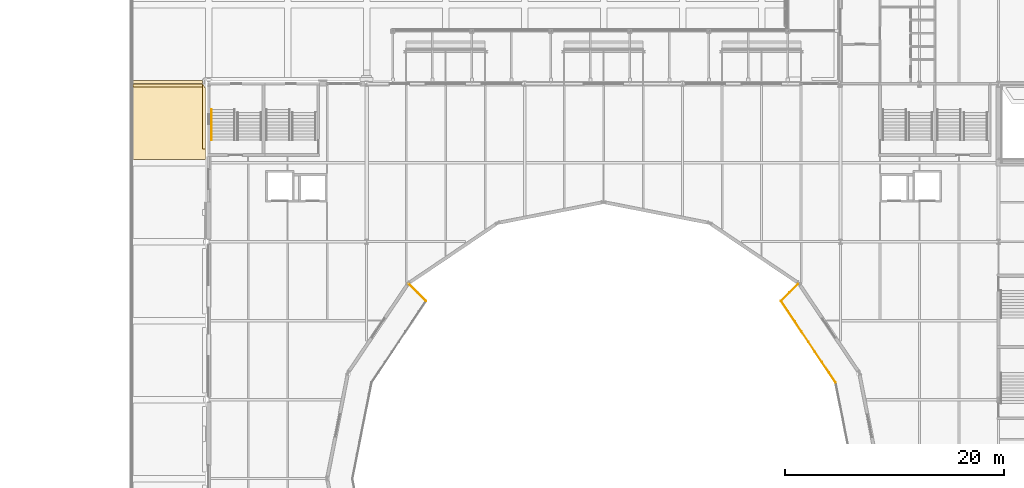
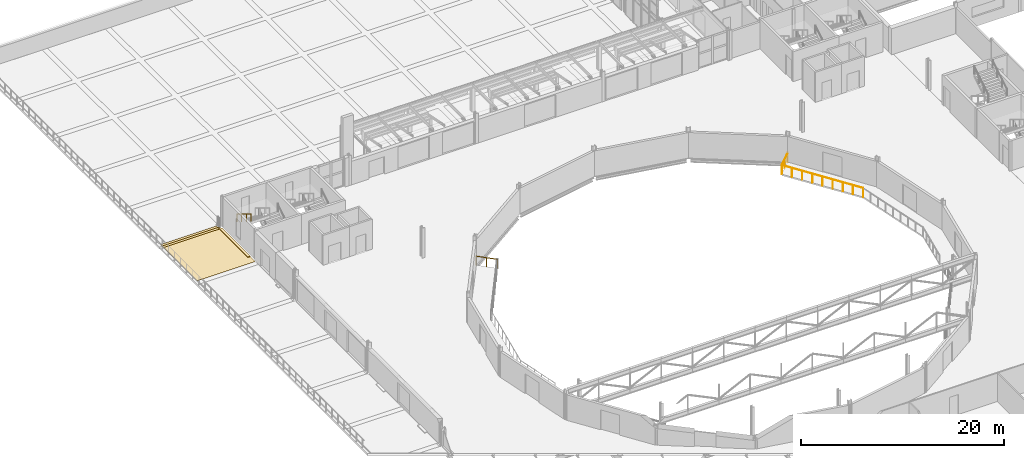
# One storey, part 111 of 143: 4 coverings, 4 railings.
"""IFC4 building model written with IfcOpenShell, lengths in metres."""

import ifcopenshell
import ifcopenshell.guid

model = None  # the IFC model being written
_history = None  # IfcOwnerHistory: only IFC2X3 demands one
_inside = {}  # id of a spatial element -> (the spatial element, [elements in it])
_under = {}  # id of a project, library or spatial element -> (it, [spatial elements below it])
_declared = {}  # id of a project -> (the project, [libraries it declares])
_typed = {}  # id of a type object -> (the type object, [elements of that type])
_made_of = {}  # id of a material, layer set ... -> (it, [elements and type objects made of it])


def new_model(schema):
    """Start an empty IFC model of exactly this schema.

    Asked for "IFC4X3", IfcOpenShell would pick the latest addendum, in which some entities
    have other attributes; the version numbers below select the first issue.
    IFC2X3 requires an IfcOwnerHistory on every rooted entity: one is made here for all.
    """
    global model, _history
    if schema == "IFC4X3":
        model = ifcopenshell.file(schema_version=(4, 3, 0, 0))
    else:
        model = ifcopenshell.file(schema=schema)
    _inside.clear()
    _under.clear()
    _declared.clear()
    _typed.clear()
    _made_of.clear()
    _history = None
    if model.schema == "IFC2X3":
        org = make("IfcOrganization", Name="unknown")
        user = make(
            "IfcPersonAndOrganization",
            ThePerson=make("IfcPerson", FamilyName="unknown"),
            TheOrganization=org,
        )
        app = make(
            "IfcApplication",
            ApplicationDeveloper=org,
            Version="unknown",
            ApplicationFullName="unknown",
            ApplicationIdentifier="unknown",
        )
        _history = make(
            "IfcOwnerHistory",
            OwningUser=user,
            OwningApplication=app,
            ChangeAction="ADDED",
            CreationDate=0,
        )
    return model


def make(cls, **values):
    """One entity of the class cls with the attributes given. An attribute that is None is left unset."""
    return model.create_entity(
        cls, **{name: value for name, value in values.items() if value is not None}
    )


def rooted(cls, **values):
    """An entity with a GlobalId (a new one), such as an element, a storey or a relation."""
    return make(cls, GlobalId=ifcopenshell.guid.new(), OwnerHistory=_history, **values)


def si_unit(unit_type, name, prefix=None):
    """IfcSIUnit, for example si_unit("LENGTHUNIT", "METRE", prefix="MILLI")."""
    return make("IfcSIUnit", UnitType=unit_type, Prefix=prefix, Name=name)


def assignment(units):
    """IfcUnitAssignment: the units of a project."""
    return None if units is None else make("IfcUnitAssignment", Units=units)


def point(xyz):
    """IfcCartesianPoint."""
    return None if xyz is None else make("IfcCartesianPoint", Coordinates=xyz)


def direction(xyz):
    """IfcDirection."""
    return None if xyz is None else make("IfcDirection", DirectionRatios=xyz)


def frame(location, z_axis=None, x_axis=None):
    """IfcAxis2Placement3D, a coordinate frame: its origin and axes. An axis left out is left unset."""
    return make(
        "IfcAxis2Placement3D",
        Location=point(location),
        Axis=direction(z_axis),
        RefDirection=direction(x_axis),
    )


def frame_2d(location, x_axis=None):
    """IfcAxis2Placement2D, a coordinate frame in the plane: its origin and x axis."""
    return make(
        "IfcAxis2Placement2D", Location=point(location), RefDirection=direction(x_axis)
    )


def origin():
    """The frame at (0, 0, 0) with its axes left unset."""
    return frame((0.0, 0.0, 0.0))


def origin_2d():
    """The frame at (0, 0) in the plane with its x axis left unset."""
    return frame_2d((0.0, 0.0))


def place(relative_to, where):
    """IfcLocalPlacement: puts the frame where relative to a parent placement (None: the world)."""
    return make(
        "IfcLocalPlacement", PlacementRelTo=relative_to, RelativePlacement=where
    )


def context(
    kind, dimensions, precision=None, world=None, true_north=None, identifier=None
):
    """IfcGeometricRepresentationContext, for example the 3D "Model" context."""
    return make(
        "IfcGeometricRepresentationContext",
        ContextIdentifier=identifier,
        ContextType=kind,
        CoordinateSpaceDimension=dimensions,
        Precision=precision,
        WorldCoordinateSystem=world,
        TrueNorth=true_north,
    )


def subcontext(parent, identifier, kind, view, scale=None):
    """IfcGeometricRepresentationSubContext, for example "Body" below "Model"."""
    return make(
        "IfcGeometricRepresentationSubContext",
        ContextIdentifier=identifier,
        ContextType=kind,
        ParentContext=parent,
        TargetScale=scale,
        TargetView=view,
    )


def project(units=None, contexts=None):
    """IfcProject with its units and contexts."""
    return rooted(
        "IfcProject",
        Name="project",
        RepresentationContexts=contexts,
        UnitsInContext=assignment(units),
    )


def spatial(cls, under=None, at=None, **own):
    """A site, building, storey or space (cls), placed at a placement, below another one or the project."""
    s = rooted(cls, ObjectPlacement=at, **own)
    if under is not None:
        _under.setdefault(under.id(), (under, []))[1].append(s)
    return s


def polyline(points):
    """IfcPolyline through the points."""
    return make("IfcPolyline", Points=[point(p) for p in points])


def profile(cls, at=None, kind="AREA", **sizes):
    """A parametric profile (cls). Its sizes go by their IFC names, for example OverallWidth=200.0."""
    return make(cls, ProfileType=kind, Position=at, **sizes)


def circle(**sizes):
    """IfcCircleProfileDef."""
    return profile("IfcCircleProfileDef", **sizes)


def outline(outer, holes=None, kind="AREA"):
    """IfcArbitraryClosedProfileDef: a profile drawn as a closed curve; with holes, ...WithVoids."""
    if holes is None:
        return make("IfcArbitraryClosedProfileDef", ProfileType=kind, OuterCurve=outer)
    return make(
        "IfcArbitraryProfileDefWithVoids",
        ProfileType=kind,
        OuterCurve=outer,
        InnerCurves=holes,
    )


def extrude(swept, where, along, depth):
    """IfcExtrudedAreaSolid: the profile swept, set in the frame where, extruded along a direction by depth."""
    return make(
        "IfcExtrudedAreaSolid",
        SweptArea=swept,
        Position=where,
        ExtrudedDirection=direction(along),
        Depth=depth,
    )


def shape(context_of_items, identifier, shape_type, items):
    """IfcShapeRepresentation: the items that make up one representation, for example the "Body"."""
    return make(
        "IfcShapeRepresentation",
        ContextOfItems=context_of_items,
        RepresentationIdentifier=identifier,
        RepresentationType=shape_type,
        Items=items,
    )


def material(Name=None, Category=None):
    """IfcMaterial."""
    return make("IfcMaterial", Name=Name, Category=Category)


def layer(
    of_material, thickness, ventilated=None, Name=None, Category=None, Priority=None
):
    """IfcMaterialLayer: one layer of a wall or slab, of a material (None: an air gap)."""
    return make(
        "IfcMaterialLayer",
        Material=of_material,
        LayerThickness=thickness,
        IsVentilated=ventilated,
        Name=Name,
        Category=Category,
        Priority=Priority,
    )


def layer_set(layers, Name=None):
    """IfcMaterialLayerSet."""
    return make("IfcMaterialLayerSet", MaterialLayers=layers, LayerSetName=Name)


def made_of(thing, what):
    """Note that an element or type object is made of a material, layer set ...; save() writes the relation."""
    if what is not None:
        _made_of.setdefault(what.id(), (what, []))[1].append(thing)
    return thing


def type_object(cls, material=None, **own):
    """A type object (cls), such as IfcWallType, which elements share."""
    return made_of(rooted(cls, **own), material)


def element(
    cls,
    number,
    at=None,
    inside=None,
    cuts=None,
    type_object=None,
    material=None,
    context=None,
    identifier="Body",
    shape_type=None,
    held_by="IfcProductDefinitionShape",
    body=None,
    shapes=None,
    **own,
):
    """One element of the class cls, such as IfcWall. Its Tag is "e" and its number.

    at: its placement. inside: the storey or other place that contains it. cuts: it is an
    opening in that element (IfcRelVoidsElement). A single representation is given by context,
    identifier, shape_type and body (its items); several are given by shapes. held_by: the class
    of the entity that holds the representations. save() writes the other relations.
    """
    e = rooted(cls, Tag="e%d" % number, ObjectPlacement=at, **own)
    if body is not None:
        shapes = [shape(context, identifier, shape_type, body)]
    if shapes is not None:
        e.Representation = make(held_by, Representations=shapes)
    if inside is not None:
        _inside.setdefault(inside.id(), (inside, []))[1].append(e)
    if cuts is not None:
        rooted(
            "IfcRelVoidsElement", RelatingBuildingElement=cuts, RelatedOpeningElement=e
        )
    if type_object is not None:
        _typed.setdefault(type_object.id(), (type_object, []))[1].append(e)
    return made_of(e, material)


def aggregate(whole, parts):
    """IfcRelAggregates: a whole, such as a stair, and the parts it consists of."""
    return rooted("IfcRelAggregates", RelatingObject=whole, RelatedObjects=parts)


def save(model, path):
    """Write the relations noted so far, then the file.

    IfcRelAggregates (storeys below a building ...), IfcRelContainedInSpatialStructure (elements
    in a storey), IfcRelDefinesByType, IfcRelAssociatesMaterial and IfcRelDeclares: one each for
    every whole, place, type object, material and project.
    """
    for whole, parts in _under.values():
        aggregate(whole, parts)
    for where, things in _inside.values():
        rooted(
            "IfcRelContainedInSpatialStructure",
            RelatedElements=things,
            RelatingStructure=where,
        )
    for kind, things in _typed.values():
        rooted("IfcRelDefinesByType", RelatedObjects=things, RelatingType=kind)
    for what, things in _made_of.values():
        rooted("IfcRelAssociatesMaterial", RelatedObjects=things, RelatingMaterial=what)
    for by, libraries in _declared.values():
        rooted("IfcRelDeclares", RelatingContext=by, RelatedDefinitions=libraries)
    model.write(path)


model = new_model("IFC4")

# Units and contexts
model_context = context("Model", 3, precision=1e-05, world=origin(), true_north=direction((0.0, 1.0)))
body_context = subcontext(model_context, "Body", "Model", "MODEL_VIEW")
ifc_project = project(units=[si_unit("LENGTHUNIT", "METRE"), si_unit("AREAUNIT", "SQUARE_METRE"), si_unit("VOLUMEUNIT", "CUBIC_METRE"), si_unit("PLANEANGLEUNIT", "RADIAN"), si_unit("MASSUNIT", "GRAM", prefix="KILO")], contexts=[model_context])

# Site, building, storey
site_placement = place(None, origin())
site = spatial("IfcSite", under=ifc_project, at=site_placement, CompositionType="ELEMENT")
building_placement = place(site_placement, origin())
building = spatial("IfcBuilding", under=site, at=building_placement, Name="Kupolbacken Congress Centre", CompositionType="ELEMENT")
storey_placement = place(building_placement, frame((0.0, 0.0, 7.199951171875)))
storey = spatial("IfcBuildingStorey", under=building, at=storey_placement, Name="L02", CompositionType="ELEMENT", Elevation=7.199951171875)

# Coverings
ifc_material_1 = material(Name="Limestone cladding", Category="masonry")
ifc_layer_1 = layer(ifc_material_1, 0.02001953125)
ifc_layer_set_1 = layer_set([ifc_layer_1], Name="Limestone cladding")
covering_type_1 = type_object("IfcCoveringType", Name="GF1 limestone paving 20", PredefinedType="FLOORING", material=ifc_layer_set_1)
covering_1_placement = place(storey_placement, origin())
element("IfcCovering", 1, at=covering_1_placement, inside=storey, type_object=covering_type_1, Name="West paving band", PredefinedType="FLOORING", context=body_context, shape_type="SweptSolid", body=[
    extrude(outline(polyline([(0.301025390625, 122.10009765625), (0.301025390625, 122.39794921875), (6.625, 122.39794921875), (6.625, 122.10009765625), (0.301025390625, 122.10009765625)])), origin(), (0.0, 0.0, 1.0), 0.02001953125),
])
ifc_material_2 = material(Name="Brick", Category="masonry")
ifc_layer_2 = layer(ifc_material_2, 0.02001953125)
ifc_layer_set_2 = layer_set([ifc_layer_2], Name="Brick")
covering_type_2 = type_object("IfcCoveringType", Name="GF2 brick paving 20", PredefinedType="FLOORING", material=ifc_layer_set_2)
covering_2_placement = place(storey_placement, origin())
element("IfcCovering", 2, at=covering_2_placement, inside=storey, type_object=covering_type_2, Name="Forecourt paving band", PredefinedType="FLOORING", context=body_context, shape_type="SweptSolid", body=[
    extrude(outline(polyline([(6.626220703125, 122.699951171875), (6.625, 122.675048828125), (6.625, 122.402099609375), (0.301025390625, 122.402099609375), (0.301025390625, 122.699951171875), (6.626220703125, 122.699951171875)])), origin(), (0.0, 0.0, 1.0), 0.02001953125),
])
covering_3_placement = place(storey_placement, origin())
element("IfcCovering", 3, at=covering_3_placement, inside=storey, type_object=covering_type_2, Name="West terrace brick paving", PredefinedType="FLOORING", context=body_context, shape_type="SweptSolid", body=[
    extrude(outline(polyline([(6.923095703125, 116.486083984375), (6.923095703125, 115.5), (0.301025390625, 115.5), (0.301025390625, 122.10009765625), (6.625, 122.10009765625), (6.625, 116.43896484375), (6.65380859375, 116.4462890625), (6.923095703125, 116.486083984375)])), origin(), (0.0, 0.0, 1.0), 0.02001953125),
])
ifc_material_3 = material(Name="Granite setts", Category="masonry")
ifc_layer_3 = layer(ifc_material_3, 0.10009765625)
ifc_layer_set_3 = layer_set([ifc_layer_3], Name="Granite setts")
covering_type_3 = type_object("IfcCoveringType", Name="GR3 granite sett paving 100", PredefinedType="FLOORING", material=ifc_layer_set_3)
covering_4_placement = place(storey_placement, origin())
element("IfcCovering", 4, at=covering_4_placement, inside=storey, type_object=covering_type_3, Name="Granite kerb edging", PredefinedType="FLOORING", context=body_context, shape_type="SweptSolid", body=[
    extrude(outline(polyline([(6.67529296875, 122.300048828125), (6.685791015625, 122.285888671875), (6.710693359375, 122.2607421875), (6.72509765625, 122.250244140625), (6.7490234375, 122.237060546875), (6.756591796875, 122.21630859375), (6.776611328125, 122.173583984375), (6.80078125, 122.13330078125), (6.828857421875, 122.095458984375), (6.860595703125, 122.060546875), (6.8955078125, 122.02880859375), (6.923095703125, 122.008544921875), (6.923095703125, 116.486083984375), (6.65380859375, 116.4462890625), (6.625, 116.43896484375), (6.625, 122.39794921875), (6.64501953125, 122.39794921875), (6.6484375, 122.364990234375), (6.652587890625, 122.34765625), (6.65869140625, 122.3310546875), (6.67529296875, 122.300048828125)])), origin(), (0.0, 0.0, 1.0), 0.10009765625),
])

# Railings
ifc_material_4 = material(Name="Steel S235", Category="steel")
railing_type_1 = type_object("IfcRailingType", Name="RL1 guard 1100 steel balustrade", PredefinedType="GUARDRAIL", material=ifc_material_4)
railing_1_placement = place(storey_placement, frame((64.352783203125, 95.161865234375, 0.0)))
element("IfcRailing", 5, at=railing_1_placement, inside=storey, type_object=railing_type_1, Name="PD/L02/ringguard/3825", PredefinedType="GUARDRAIL", context=body_context, shape_type="SweptSolid", body=[
    extrude(circle(Radius=0.02392578125, at=origin_2d()), frame((0.0, 0.0, 1.076171875), z_axis=(-0.555563902596, 0.831473842121, 0.0), x_axis=(-0.831473842121, -0.555563902596, 0.0)), (0.0, 0.0, 1.0), 8.93359375),
    extrude(circle(Radius=0.02099609375, at=origin_2d()), origin(), (0.0, 0.0, 1.0), 1.052001953125),
    extrude(circle(Radius=0.02099609375, at=origin_2d()), frame((-0.620361328125, 0.928466796875, 0.0)), (0.0, 0.0, 1.0), 1.052001953125),
    extrude(circle(Radius=0.02099609375, at=origin_2d()), frame((-1.24072265625, 1.85693359375, 0.0)), (0.0, 0.0, 1.0), 1.052001953125),
    extrude(circle(Radius=0.02099609375, at=origin_2d()), frame((-1.861083984375, 2.785400390625, 0.0)), (0.0, 0.0, 1.0), 1.052001953125),
    extrude(circle(Radius=0.02099609375, at=origin_2d()), frame((-2.4814453125, 3.7138671875, 0.0)), (0.0, 0.0, 1.0), 1.052001953125),
    extrude(circle(Radius=0.02099609375, at=origin_2d()), frame((-3.10205078125, 4.642578125, 0.0)), (0.0, 0.0, 1.0), 1.052001953125),
    extrude(circle(Radius=0.02099609375, at=origin_2d()), frame((-3.722412109375, 5.571044921875, 0.0)), (0.0, 0.0, 1.0), 1.052001953125),
    extrude(circle(Radius=0.02099609375, at=origin_2d()), frame((-4.3427734375, 6.49951171875, 0.0)), (0.0, 0.0, 1.0), 1.052001953125),
    extrude(circle(Radius=0.02099609375, at=origin_2d()), frame((-4.963134765625, 7.427978515625, 0.0)), (0.0, 0.0, 1.0), 1.052001953125),
])
railing_2_placement = place(storey_placement, frame((27.01025390625, 102.58984375, 0.0)))
element("IfcRailing", 6, at=railing_2_placement, inside=storey, type_object=railing_type_1, Name="PD/L02/ringend/s", PredefinedType="GUARDRAIL", context=body_context, shape_type="SweptSolid", body=[
    extrude(circle(Radius=0.02392578125, at=origin_2d()), frame((0.0, 0.0, 1.076171875), z_axis=(-0.707106781187, 0.707106781187, 0.0), x_axis=(-0.707106781187, -0.707106781187, 0.0)), (0.0, 0.0, 1.0), 2.181640625),
    extrude(circle(Radius=0.02099609375, at=origin_2d()), origin(), (0.0, 0.0, 1.0), 1.052001953125),
    extrude(circle(Radius=0.02099609375, at=origin_2d()), frame((-0.771484375, 0.771484375, 0.0)), (0.0, 0.0, 1.0), 1.052001953125),
    extrude(circle(Radius=0.02099609375, at=origin_2d()), frame((-1.542724609375, 1.542724609375, 0.0)), (0.0, 0.0, 1.0), 1.052001953125),
])
railing_3_placement = place(storey_placement, frame((59.3896484375, 102.58984375, 0.0)))
element("IfcRailing", 7, at=railing_3_placement, inside=storey, type_object=railing_type_1, Name="PD/L02/ringend/e", PredefinedType="GUARDRAIL", context=body_context, shape_type="SweptSolid", body=[
    extrude(circle(Radius=0.02392578125, at=origin_2d()), frame((0.0, 0.0, 1.076171875), z_axis=(0.707162725391, 0.707050832555, 0.0), x_axis=(-0.707050832555, 0.707162725391, 0.0)), (0.0, 0.0, 1.0), 2.181884765625),
    extrude(circle(Radius=0.02099609375, at=origin_2d()), origin(), (0.0, 0.0, 1.0), 1.052001953125),
    extrude(circle(Radius=0.02099609375, at=origin_2d()), frame((0.771484375, 0.771484375, 0.0)), (0.0, 0.0, 1.0), 1.052001953125),
    extrude(circle(Radius=0.02099609375, at=origin_2d()), frame((1.54296875, 1.542724609375, 0.0)), (0.0, 0.0, 1.0), 1.052001953125),
])
ifc_material_5 = material(Name="Steel S235", Category="steel")
railing_type_2 = type_object("IfcRailingType", Name="RL3 handrail wall-mounted 900", PredefinedType="HANDRAIL", material=ifc_material_5)
railing_4_placement = place(storey_placement, frame((7.449951171875, 120.054931640625, 1.8857421875)))
element("IfcRailing", 8, at=railing_4_placement, inside=storey, type_object=railing_type_2, Name="C/stair/PS1NW/L02/HR2R", PredefinedType="HANDRAIL", context=body_context, shape_type="SweptSolid", body=[
    extrude(circle(Radius=0.02392578125, at=origin_2d()), frame((0.0, 0.0, 0.8759765625), z_axis=(0.0, -0.852845897599, 0.522162690116), x_axis=(1.0, 0.0, 0.0)), (0.0, 0.0, 1.0), 3.283203125),
    extrude(circle(Radius=0.02099609375, at=origin_2d()), origin(), (0.0, 0.0, 1.0), 0.851806640625),
    extrude(circle(Radius=0.02099609375, at=origin_2d()), frame((0.0, -0.933349609375, 0.571533203125)), (0.0, 0.0, 1.0), 0.851806640625),
    extrude(circle(Radius=0.02099609375, at=origin_2d()), frame((0.0, -1.86669921875, 1.142822265625)), (0.0, 0.0, 1.0), 0.851806640625),
    extrude(circle(Radius=0.02099609375, at=origin_2d()), frame((0.0, -2.800048828125, 1.71435546875)), (0.0, 0.0, 1.0), 0.851806640625),
])

save(model, "model.ifc")
